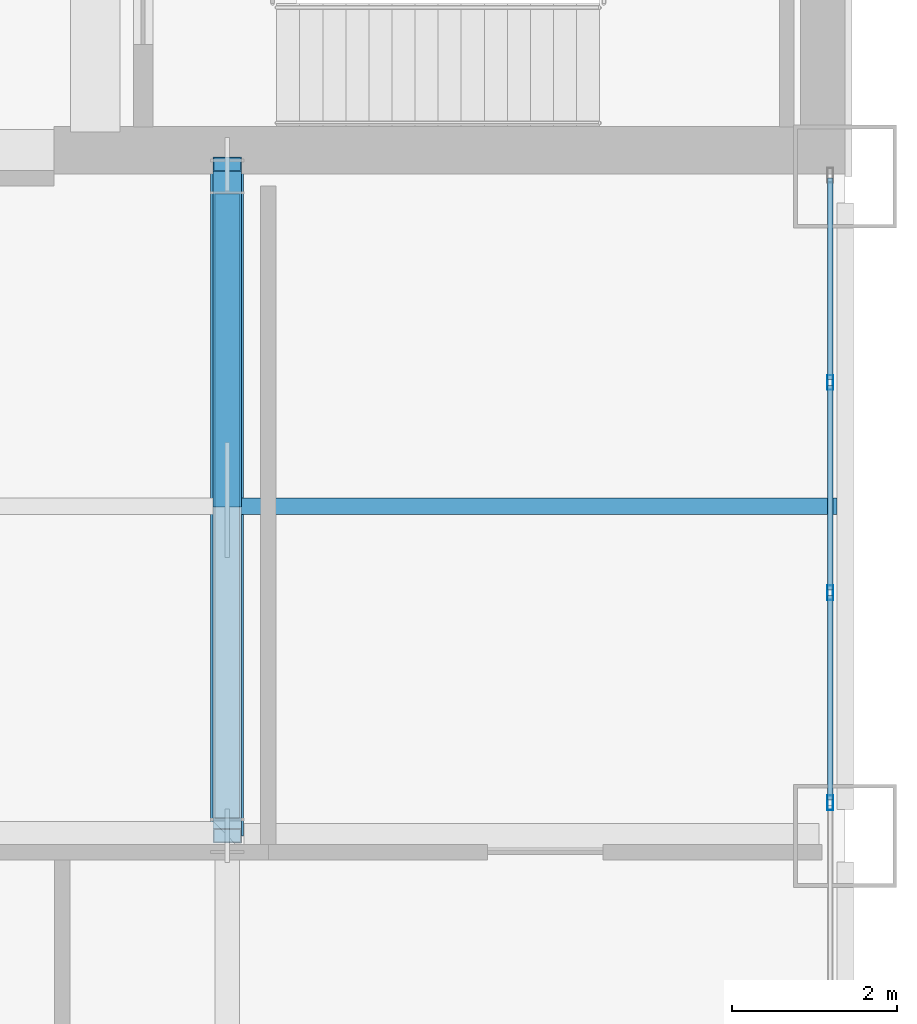
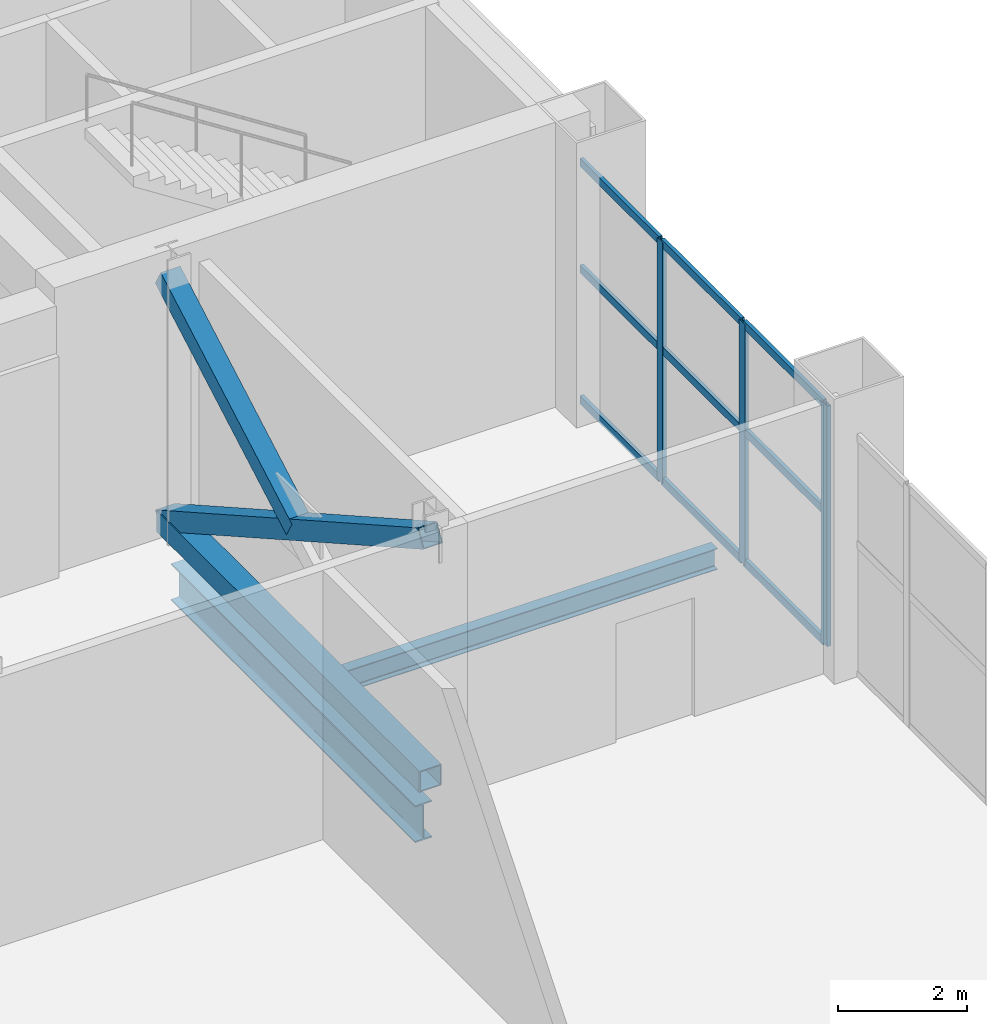
# One storey, part 14 of 26: 15 members, 2 beams, 1 element without a shape of its own.
"""IFC4 building model written with IfcOpenShell, lengths in metres."""

from ifc_helpers import new_model, si_unit, direction, frame, origin, origin_2d, place, context, subcontext, project, spatial, hollow_rectangle, i_section, extrude, material, layer, layer_set, material_profile, profile_set, type_object, element, aggregate, save


model = new_model("IFC4")

# Units and contexts
model_context = context("Model", 3, precision=1e-05, world=origin(), true_north=direction((0.0, 1.0)))
body_context = subcontext(model_context, "Body", "Model", "MODEL_VIEW")
ifc_project = project(units=[si_unit("LENGTHUNIT", "METRE"), si_unit("AREAUNIT", "SQUARE_METRE"), si_unit("VOLUMEUNIT", "CUBIC_METRE"), si_unit("PLANEANGLEUNIT", "RADIAN"), si_unit("MASSUNIT", "GRAM", prefix="KILO")], contexts=[model_context])

# Site, building, storey
site_placement = place(None, origin())
site = spatial("IfcSite", under=ifc_project, at=site_placement, CompositionType="ELEMENT")
building_placement = place(site_placement, origin())
building = spatial("IfcBuilding", under=site, at=building_placement, Name="Qianrong Seaharbour Tower", CompositionType="ELEMENT")
storey_placement = place(building_placement, frame((0.0, 0.0, 108.199951171875)))
storey = spatial("IfcBuildingStorey", under=building, at=storey_placement, Name="L26", CompositionType="ELEMENT", Elevation=108.199951171875)

# Beams
ifc_material_1 = material(Name="Structural steel SN490B", Category="steel")
ifc_material_profile_1 = material_profile(ifc_material_1, i_section(OverallWidth=0.300048828125, OverallDepth=0.699951171875, WebThickness=0.012939453125, FlangeThickness=0.02392578125, FilletRadius=0.02587890625, at=origin_2d()), Name="H700x300x13x24")
ifc_profile_set_1 = profile_set([ifc_material_profile_1], Name="Structural steel SN490B")
beam_type_1 = type_object("IfcBeamType", Name="BM-G-700", PredefinedType="BEAM", material=ifc_profile_set_1)
beam_1_placement = place(storey_placement, frame((56.5, 28.214111328125, -0.699951171875), z_axis=(0.0, 1.0, 0.0), x_axis=(-1.0, 0.0, 0.0)))
element("IfcBeam", 1, at=beam_1_placement, inside=storey, type_object=beam_type_1, Name="L26 Primary Girder G8 GE-GF", PredefinedType="BEAM", context=body_context, shape_type="SweptSolid", body=[
    extrude(i_section(OverallWidth=0.300048828125, OverallDepth=0.699951171875, WebThickness=0.012939453125, FlangeThickness=0.02392578125, FilletRadius=0.02587890625, at=origin_2d()), origin(), (0.0, 0.0, 1.0), 7.57177734375),
])
ifc_material_2 = material(Name="Structural steel SN400B", Category="steel")
ifc_material_profile_2 = material_profile(ifc_material_2, i_section(OverallWidth=0.199951171875, OverallDepth=0.39990234375, WebThickness=0.008056640625, FlangeThickness=0.012939453125, FilletRadius=0.01611328125, at=origin_2d()), Name="H400x200x8x13")
ifc_profile_set_2 = profile_set([ifc_material_profile_2], Name="Structural steel SN400B")
beam_type_2 = type_object("IfcBeamType", Name="BM-J-400", PredefinedType="JOIST", material=ifc_profile_set_2)
beam_2_placement = place(storey_placement, frame((56.64990234375, 32.0, -0.550048828125), z_axis=(1.0, 0.0, 0.0), x_axis=(0.0, 1.0, 0.0)))
element("IfcBeam", 2, at=beam_2_placement, inside=storey, type_object=beam_type_2, Name="L26 Composite Floor Joist G8-G9/GE-GF", PredefinedType="JOIST", context=body_context, shape_type="SweptSolid", body=[
    extrude(i_section(OverallWidth=0.199951171875, OverallDepth=0.39990234375, WebThickness=0.008056640625, FlangeThickness=0.012939453125, FilletRadius=0.01611328125, at=origin_2d()), origin(), (0.0, 0.0, 1.0), 7.25),
])

# Curtain wall, members
ifc_material_3 = material(Name="Anodised aluminium 6063-T6 and laminated low-e glass", Category="aluminium")
ifc_layer = layer(ifc_material_3, 0.18505859375)
ifc_layer_set = layer_set([ifc_layer], Name="Anodised aluminium 6063-T6 and laminated low-e glass")
curtain_wall_type = type_object("IfcCurtainWallType", Name="CW-SYS-4", PredefinedType="NOTDEFINED", material=ifc_layer_set)
curtain_wall_placement = place(storey_placement, origin())
curtain_wall = element("IfcCurtainWall", 3, at=curtain_wall_placement, inside=storey, type_object=curtain_wall_type, Name="L26 Refuge Acoustic Louvre Curtain Wall EAST_WING", PredefinedType="NOTDEFINED")
ifc_material_4 = material(Name="Extruded aluminium 6063-T6", Category="aluminium")
ifc_material_profile_3 = material_profile(ifc_material_4, hollow_rectangle(XDim=0.070068359375, YDim=0.179931640625, WallThickness=0.00390625, at=origin_2d()), Name="ALU-MUL-180x70x4")
ifc_profile_set_3 = profile_set([ifc_material_profile_3], Name="Extruded aluminium 6063-T6")
member_type_1 = type_object("IfcMemberType", Name="CW-MUL-180", PredefinedType="MULLION", material=ifc_profile_set_3)
member_1_placement = place(storey_placement, frame((63.820068359375, 33.5, 0.0), z_axis=(0.0, 0.0, 1.0), x_axis=(1.0, 0.0, 0.0)))
member_1 = element("IfcMember", 4, at=member_1_placement, type_object=member_type_1, Name="CW-4 mullion 2", PredefinedType="MULLION", context=body_context, shape_type="SweptSolid", body=[
    extrude(hollow_rectangle(XDim=0.070068359375, YDim=0.179931640625, WallThickness=0.00390625, at=origin_2d()), origin(), (0.0, 0.0, 1.0), 4.56005859375),
])
member_2_placement = place(storey_placement, frame((63.820068359375, 30.949951171875, 0.0), z_axis=(0.0, 0.0, 1.0), x_axis=(1.0, 0.0, 0.0)))
member_2 = element("IfcMember", 5, at=member_2_placement, type_object=member_type_1, Name="CW-4 mullion 3", PredefinedType="MULLION", context=body_context, shape_type="SweptSolid", body=[
    extrude(hollow_rectangle(XDim=0.070068359375, YDim=0.179931640625, WallThickness=0.00390625, at=origin_2d()), origin(), (0.0, 0.0, 1.0), 4.56005859375),
])
member_3_placement = place(storey_placement, frame((63.820068359375, 28.39990234375, 0.0), z_axis=(0.0, 0.0, 1.0), x_axis=(1.0, 0.0, 0.0)))
member_3 = element("IfcMember", 6, at=member_3_placement, type_object=member_type_1, Name="CW-4 mullion 4", PredefinedType="MULLION", context=body_context, shape_type="SweptSolid", body=[
    extrude(hollow_rectangle(XDim=0.070068359375, YDim=0.179931640625, WallThickness=0.00390625, at=origin_2d()), origin(), (0.0, 0.0, 1.0), 4.56005859375),
])
ifc_material_profile_4 = material_profile(ifc_material_4, hollow_rectangle(XDim=0.06494140625, YDim=0.14990234375, WallThickness=0.00390625, at=origin_2d()), Name="ALU-TRN-150x65x4")
ifc_profile_set_4 = profile_set([ifc_material_profile_4], Name="Extruded aluminium 6063-T6")
member_type_2 = type_object("IfcMemberType", Name="CW-TRN-150", PredefinedType="USERDEFINED", material=ifc_profile_set_4)
member_4_placement = place(storey_placement, frame((63.820068359375, 35.97998046875, 0.032470703125), z_axis=(0.0, -1.0, 0.0), x_axis=(1.0, 0.0, 0.0)))
member_4 = element("IfcMember", 7, at=member_4_placement, type_object=member_type_2, Name="CW-4 transom 1.1", ObjectType="TRANSOM", PredefinedType="USERDEFINED", context=body_context, shape_type="SweptSolid", body=[
    extrude(hollow_rectangle(XDim=0.06494140625, YDim=0.14990234375, WallThickness=0.00390625, at=origin_2d()), origin(), (0.0, 0.0, 1.0), 2.445068359375),
])
member_5_placement = place(storey_placement, frame((63.820068359375, 35.97998046875, 2.508056640625), z_axis=(0.0, -1.0, 0.0), x_axis=(1.0, 0.0, 0.0)))
member_5 = element("IfcMember", 8, at=member_5_placement, type_object=member_type_2, Name="CW-4 transom 1.2", ObjectType="TRANSOM", PredefinedType="USERDEFINED", context=body_context, shape_type="SweptSolid", body=[
    extrude(hollow_rectangle(XDim=0.06494140625, YDim=0.14990234375, WallThickness=0.00390625, at=origin_2d()), origin(), (0.0, 0.0, 1.0), 2.445068359375),
])
member_6_placement = place(storey_placement, frame((63.820068359375, 35.97998046875, 4.527587890625), z_axis=(0.0, -1.0, 0.0), x_axis=(1.0, 0.0, 0.0)))
member_6 = element("IfcMember", 9, at=member_6_placement, type_object=member_type_2, Name="CW-4 transom 1.3", ObjectType="TRANSOM", PredefinedType="USERDEFINED", context=body_context, shape_type="SweptSolid", body=[
    extrude(hollow_rectangle(XDim=0.06494140625, YDim=0.14990234375, WallThickness=0.00390625, at=origin_2d()), origin(), (0.0, 0.0, 1.0), 2.445068359375),
])
member_7_placement = place(storey_placement, frame((63.820068359375, 33.465087890625, 0.032470703125), z_axis=(0.0, -1.0, 0.0), x_axis=(1.0, 0.0, 0.0)))
member_7 = element("IfcMember", 10, at=member_7_placement, type_object=member_type_2, Name="CW-4 transom 2.1", ObjectType="TRANSOM", PredefinedType="USERDEFINED", context=body_context, shape_type="SweptSolid", body=[
    extrude(hollow_rectangle(XDim=0.06494140625, YDim=0.14990234375, WallThickness=0.00390625, at=origin_2d()), origin(), (0.0, 0.0, 1.0), 2.47998046875),
])
member_8_placement = place(storey_placement, frame((63.820068359375, 33.465087890625, 2.508056640625), z_axis=(0.0, -1.0, 0.0), x_axis=(1.0, 0.0, 0.0)))
member_8 = element("IfcMember", 11, at=member_8_placement, type_object=member_type_2, Name="CW-4 transom 2.2", ObjectType="TRANSOM", PredefinedType="USERDEFINED", context=body_context, shape_type="SweptSolid", body=[
    extrude(hollow_rectangle(XDim=0.06494140625, YDim=0.14990234375, WallThickness=0.00390625, at=origin_2d()), origin(), (0.0, 0.0, 1.0), 2.47998046875),
])
member_9_placement = place(storey_placement, frame((63.820068359375, 33.465087890625, 4.527587890625), z_axis=(0.0, -1.0, 0.0), x_axis=(1.0, 0.0, 0.0)))
member_9 = element("IfcMember", 12, at=member_9_placement, type_object=member_type_2, Name="CW-4 transom 2.3", ObjectType="TRANSOM", PredefinedType="USERDEFINED", context=body_context, shape_type="SweptSolid", body=[
    extrude(hollow_rectangle(XDim=0.06494140625, YDim=0.14990234375, WallThickness=0.00390625, at=origin_2d()), origin(), (0.0, 0.0, 1.0), 2.47998046875),
])
member_10_placement = place(storey_placement, frame((63.820068359375, 30.9150390625, 0.032470703125), z_axis=(0.0, -1.0, 0.0), x_axis=(1.0, 0.0, 0.0)))
member_10 = element("IfcMember", 13, at=member_10_placement, type_object=member_type_2, Name="CW-4 transom 3.1", ObjectType="TRANSOM", PredefinedType="USERDEFINED", context=body_context, shape_type="SweptSolid", body=[
    extrude(hollow_rectangle(XDim=0.06494140625, YDim=0.14990234375, WallThickness=0.00390625, at=origin_2d()), origin(), (0.0, 0.0, 1.0), 2.47998046875),
])
member_11_placement = place(storey_placement, frame((63.820068359375, 30.9150390625, 2.508056640625), z_axis=(0.0, -1.0, 0.0), x_axis=(1.0, 0.0, 0.0)))
member_11 = element("IfcMember", 14, at=member_11_placement, type_object=member_type_2, Name="CW-4 transom 3.2", ObjectType="TRANSOM", PredefinedType="USERDEFINED", context=body_context, shape_type="SweptSolid", body=[
    extrude(hollow_rectangle(XDim=0.06494140625, YDim=0.14990234375, WallThickness=0.00390625, at=origin_2d()), origin(), (0.0, 0.0, 1.0), 2.47998046875),
])
member_12_placement = place(storey_placement, frame((63.820068359375, 30.9150390625, 4.527587890625), z_axis=(0.0, -1.0, 0.0), x_axis=(1.0, 0.0, 0.0)))
member_12 = element("IfcMember", 15, at=member_12_placement, type_object=member_type_2, Name="CW-4 transom 3.3", ObjectType="TRANSOM", PredefinedType="USERDEFINED", context=body_context, shape_type="SweptSolid", body=[
    extrude(hollow_rectangle(XDim=0.06494140625, YDim=0.14990234375, WallThickness=0.00390625, at=origin_2d()), origin(), (0.0, 0.0, 1.0), 2.47998046875),
])
aggregate(curtain_wall, [member_1, member_2, member_3, member_4, member_5, member_6, member_7, member_8, member_9, member_10, member_11, member_12])

# Members
ifc_material_profile_5 = material_profile(ifc_material_1, hollow_rectangle(XDim=0.35009765625, YDim=0.35009765625, WallThickness=0.01611328125, at=origin_2d()), Name="SHS350x350x16")
ifc_profile_set_5 = profile_set([ifc_material_profile_5], Name="Structural steel SN490B")
member_type_3 = type_object("IfcMemberType", Name="MEM-BT-SHS350", PredefinedType="BRACE", material=ifc_profile_set_5)
member_13_placement = place(storey_placement, frame((56.5, 36.14990234375, 0.25), z_axis=(0.0, -0.87085420857, 0.491541399493), x_axis=(1.0, 0.0, 0.0)))
element("IfcMember", 16, at=member_13_placement, inside=storey, type_object=member_type_3, Name="L26 Outrigger Belt Truss Diagonal Brace OT-10", PredefinedType="BRACE", context=body_context, shape_type="SweptSolid", body=[
    extrude(hollow_rectangle(XDim=0.35009765625, YDim=0.35009765625, WallThickness=0.01611328125, at=origin_2d()), origin(), (0.0, 0.0, 1.0), 9.3583984375),
])
member_14_placement = place(storey_placement, frame((56.5, 36.14990234375, 4.85009765625), z_axis=(0.0, -0.87085420857, -0.491541399493), x_axis=(1.0, 0.0, 0.0)))
element("IfcMember", 17, at=member_14_placement, inside=storey, type_object=member_type_3, Name="L26 Outrigger Belt Truss Diagonal Brace OT-11", PredefinedType="BRACE", context=body_context, shape_type="SweptSolid", body=[
    extrude(hollow_rectangle(XDim=0.35009765625, YDim=0.35009765625, WallThickness=0.01611328125, at=origin_2d()), origin(), (0.0, 0.0, 1.0), 4.67919921875),
])
ifc_material_profile_6 = material_profile(ifc_material_1, hollow_rectangle(XDim=0.39990234375, YDim=0.39990234375, WallThickness=0.02001953125, at=origin_2d()), Name="SHS400x400x20")
ifc_profile_set_6 = profile_set([ifc_material_profile_6], Name="Structural steel SN490B")
member_type_4 = type_object("IfcMemberType", Name="MEM-CHORD-400", PredefinedType="CHORD", material=ifc_profile_set_6)
member_15_placement = place(storey_placement, frame((56.5, 28.0, 0.25), z_axis=(0.0, 1.0, 0.0), x_axis=(-1.0, 0.0, 0.0)))
element("IfcMember", 18, at=member_15_placement, inside=storey, type_object=member_type_4, Name="L26 Outrigger Truss Bottom Chord G8", PredefinedType="CHORD", context=body_context, shape_type="SweptSolid", body=[
    extrude(hollow_rectangle(XDim=0.39990234375, YDim=0.39990234375, WallThickness=0.02001953125, at=origin_2d()), origin(), (0.0, 0.0, 1.0), 8.14990234375),
])

save(model, "model.ifc")
